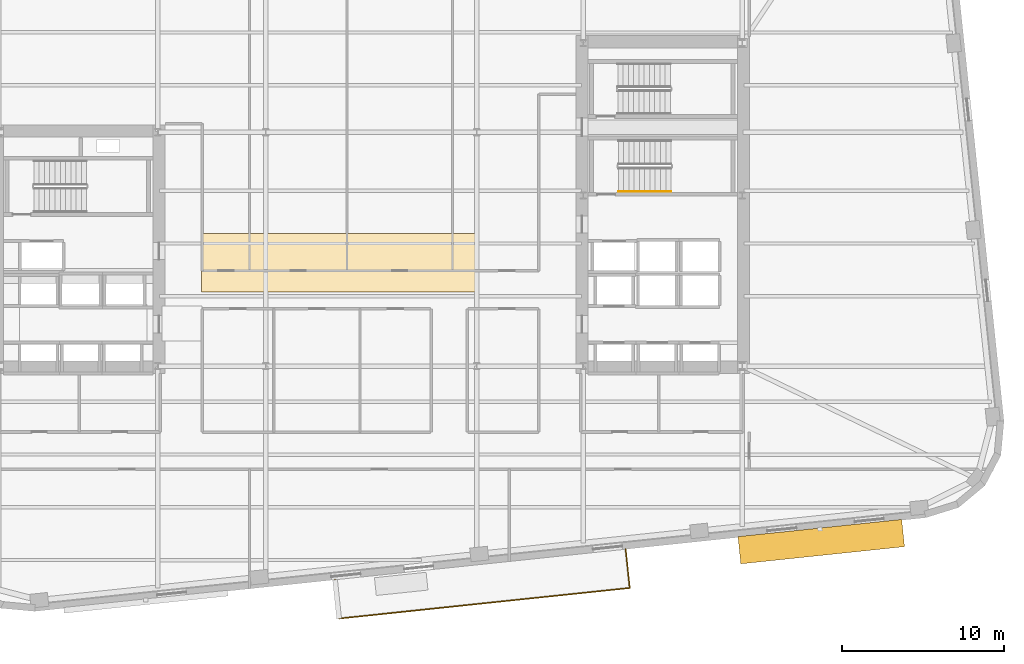
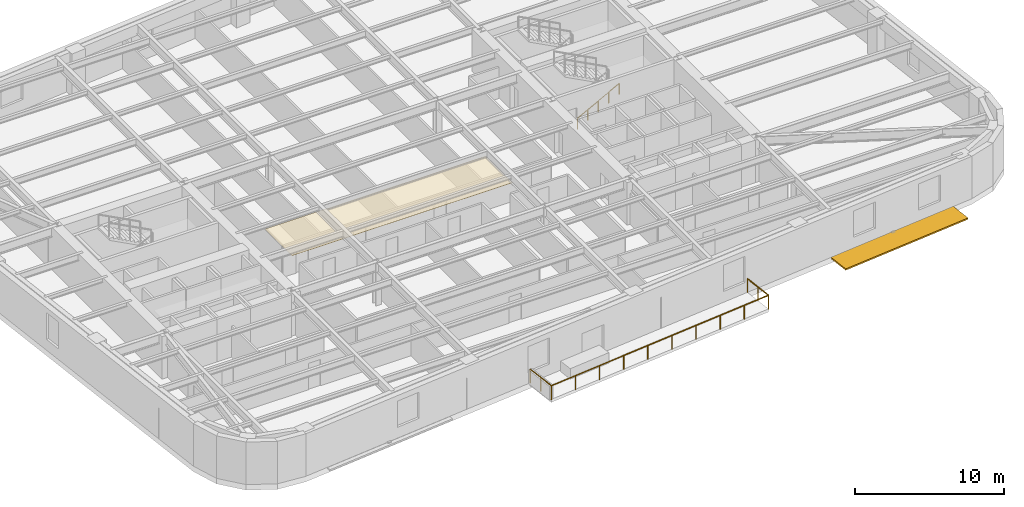
# One storey, part 9 of 11: 2 railings, 1 covering, 1 shading device.
"""IFC4 building model written with IfcOpenShell, lengths in metres."""

from ifc_helpers import new_model, si_unit, direction, frame, origin, origin_2d, place, context, subcontext, project, spatial, polyline, rectangle, circle, outline, extrude, material, layer, layer_set, type_object, element, save


model = new_model("IFC4")

# Units and contexts
model_context = context("Model", 3, precision=1e-05, world=origin(), true_north=direction((0.0, 1.0)))
body_context = subcontext(model_context, "Body", "Model", "MODEL_VIEW")
ifc_project = project(units=[si_unit("LENGTHUNIT", "METRE"), si_unit("AREAUNIT", "SQUARE_METRE"), si_unit("VOLUMEUNIT", "CUBIC_METRE"), si_unit("PLANEANGLEUNIT", "RADIAN"), si_unit("MASSUNIT", "GRAM", prefix="KILO")], contexts=[model_context])

# Site, building, storey
site_placement = place(None, origin())
site = spatial("IfcSite", under=ifc_project, at=site_placement, CompositionType="ELEMENT")
building_placement = place(site_placement, origin())
building = spatial("IfcBuilding", under=site, at=building_placement, Name="Kolvaren Arena Tower", CompositionType="ELEMENT")
storey_placement = place(building_placement, frame((0.0, 0.0, 99.699951171875)))
storey = spatial("IfcBuildingStorey", under=building, at=storey_placement, Name="L22", CompositionType="ELEMENT", Elevation=99.699951171875)

# Covering
ifc_material_1 = material(Name="Mineral fibre acoustic ceiling tile", Category="gypsum")
ifc_layer = layer(ifc_material_1, 0.02490234375)
ifc_layer_set = layer_set([ifc_layer], Name="Mineral fibre acoustic ceiling tile")
covering_type = type_object("IfcCoveringType", Name="CEIL-ACT-1", PredefinedType="CEILING", material=ifc_layer_set)
covering_placement = place(storey_placement, frame((0.0, 0.0, 2.52001953125)))
element("IfcCovering", 1, at=covering_placement, inside=storey, type_object=covering_type, Name="Suspended Ceiling (L22)", PredefinedType="CEILING", context=body_context, shape_type="SweptSolid", body=[
    extrude(outline(polyline([(27.050048828125, 24.0), (27.050048828125, 27.60009765625), (44.10009765625, 27.60009765625), (44.10009765625, 24.0), (27.050048828125, 24.0)])), origin(), (0.0, 0.0, 1.0), 0.025146484375),
])

# Railings
ifc_material_2 = material(Name="Stainless steel and laminated glass guard", Category="steel")
railing_type_1 = type_object("IfcRailingType", Name="GUARD-TER-115", PredefinedType="BALUSTRADE", material=ifc_material_2)
railing_1_placement = place(storey_placement, frame((35.263916015625, 6.285888671875, 0.0)))
element("IfcRailing", 2, at=railing_1_placement, inside=storey, type_object=railing_type_1, Name="Setback Terrace Perimeter Guardrail (L22)", PredefinedType="BALUSTRADE", context=body_context, shape_type="SweptSolid", body=[
    extrude(circle(Radius=0.030029296875, at=origin_2d()), frame((0.0, 0.0, 1.119873046875), z_axis=(0.10456829335, -0.994517708252, 0.0), x_axis=(0.994517708252, 0.10456829335, 0.0)), (0.0, 0.0, 1.0), 2.400146484375),
    extrude(circle(Radius=0.030029296875, at=origin_2d()), frame((0.2509765625, -2.386962890625, 1.119873046875), z_axis=(0.994521420115, 0.1045329849, 0.0), x_axis=(-0.1045329849, 0.994521420115, 0.0)), (0.0, 0.0, 1.0), 18.0),
    extrude(circle(Radius=0.030029296875, at=origin_2d()), frame((18.15234375, -0.50537109375, 1.119873046875), z_axis=(-0.104578872801, 0.994516595821, 0.0), x_axis=(-0.994516595821, -0.104578872801, 0.0)), (0.0, 0.0, 1.0), 2.39990234375),
    extrude(circle(Radius=0.02490234375, at=origin_2d()), origin(), (0.0, 0.0, 1.0), 1.08984375),
    extrude(circle(Radius=0.02490234375, at=origin_2d()), frame((0.12548828125, -1.193359375, 0.0)), (0.0, 0.0, 1.0), 1.08984375),
    extrude(circle(Radius=0.02490234375, at=origin_2d()), frame((0.2509765625, -2.386962890625, 0.0)), (0.0, 0.0, 1.0), 1.08984375),
    extrude(circle(Radius=0.02490234375, at=origin_2d()), frame((2.239990234375, -2.177978515625, 0.0)), (0.0, 0.0, 1.0), 1.08984375),
    extrude(circle(Radius=0.02490234375, at=origin_2d()), frame((4.22900390625, -1.96875, 0.0)), (0.0, 0.0, 1.0), 1.08984375),
    extrude(circle(Radius=0.02490234375, at=origin_2d()), frame((6.218017578125, -1.759765625, 0.0)), (0.0, 0.0, 1.0), 1.08984375),
    extrude(circle(Radius=0.02490234375, at=origin_2d()), frame((8.20703125, -1.55078125, 0.0)), (0.0, 0.0, 1.0), 1.08984375),
    extrude(circle(Radius=0.02490234375, at=origin_2d()), frame((10.1962890625, -1.341552734375, 0.0)), (0.0, 0.0, 1.0), 1.08984375),
    extrude(circle(Radius=0.02490234375, at=origin_2d()), frame((12.185302734375, -1.132568359375, 0.0)), (0.0, 0.0, 1.0), 1.08984375),
    extrude(circle(Radius=0.02490234375, at=origin_2d()), frame((14.17431640625, -0.923583984375, 0.0)), (0.0, 0.0, 1.0), 1.08984375),
    extrude(circle(Radius=0.02490234375, at=origin_2d()), frame((16.163330078125, -0.71435546875, 0.0)), (0.0, 0.0, 1.0), 1.08984375),
    extrude(circle(Radius=0.02490234375, at=origin_2d()), frame((18.15234375, -0.50537109375, 0.0)), (0.0, 0.0, 1.0), 1.08984375),
    extrude(circle(Radius=0.02490234375, at=origin_2d()), frame((18.02685546875, 0.68798828125, 0.0)), (0.0, 0.0, 1.0), 1.08984375),
    extrude(circle(Radius=0.02490234375, at=origin_2d()), frame((17.9013671875, 1.88134765625, 0.0)), (0.0, 0.0, 1.0), 1.08984375),
])
ifc_material_3 = material(Name="Brushed stainless steel handrail", Category="steel")
railing_type_2 = type_object("IfcRailingType", Name="HRAIL-900", PredefinedType="HANDRAIL", material=ifc_material_3)
railing_2_placement = place(storey_placement, frame((52.719970703125, 30.199951171875, 0.17041015625)))
element("IfcRailing", 3, at=railing_2_placement, inside=storey, type_object=railing_type_2, Name="L22 ST-E1 stair handrail 1", PredefinedType="HANDRAIL", context=body_context, shape_type="SweptSolid", body=[
    extrude(circle(Radius=0.02392578125, at=origin_2d()), frame((0.0, 0.0, 0.8759765625), z_axis=(0.884993431791, 0.0, 0.465603506952), x_axis=(0.0, 1.0, 0.0)), (0.0, 0.0, 1.0), 3.6611328125),
    extrude(circle(Radius=0.02099609375, at=origin_2d()), origin(), (0.0, 0.0, 1.0), 0.851806640625),
    extrude(circle(Radius=0.02099609375, at=origin_2d()), frame((0.81005859375, 0.0, 0.42626953125)), (0.0, 0.0, 1.0), 0.851806640625),
    extrude(circle(Radius=0.02099609375, at=origin_2d()), frame((1.6201171875, 0.0, 0.852294921875)), (0.0, 0.0, 1.0), 0.851806640625),
    extrude(circle(Radius=0.02099609375, at=origin_2d()), frame((2.429931640625, 0.0, 1.2783203125)), (0.0, 0.0, 1.0), 0.851806640625),
    extrude(circle(Radius=0.02099609375, at=origin_2d()), frame((3.239990234375, 0.0, 1.70458984375)), (0.0, 0.0, 1.0), 0.851806640625),
])

# Shading device
ifc_material_4 = material(Name="Architectural precast GFRC and anodised aluminium sunshade", Category="concrete")
shading_device_type = type_object("IfcShadingDeviceType", Name="SHAD-SINE-B", PredefinedType="JALOUSIE", material=ifc_material_4)
shading_device_placement = place(storey_placement, frame((65.21240234375, 8.634765625, -0.139892578125), z_axis=(0.0, 0.0, 1.0), x_axis=(-0.994522077803, -0.104526727499, 0.0)))
element("IfcShadingDevice", 4, at=shading_device_placement, inside=storey, type_object=shading_device_type, Name="Sinusoidal Slab-Edge Sunshade Louvre (L22)", PredefinedType="JALOUSIE", context=body_context, shape_type="SweptSolid", body=[
    extrude(rectangle(XDim=10.139892578125, YDim=1.688720703125, at=origin_2d()), origin(), (0.0, 0.0, 1.0), 0.1201171875),
])

save(model, "model.ifc")
